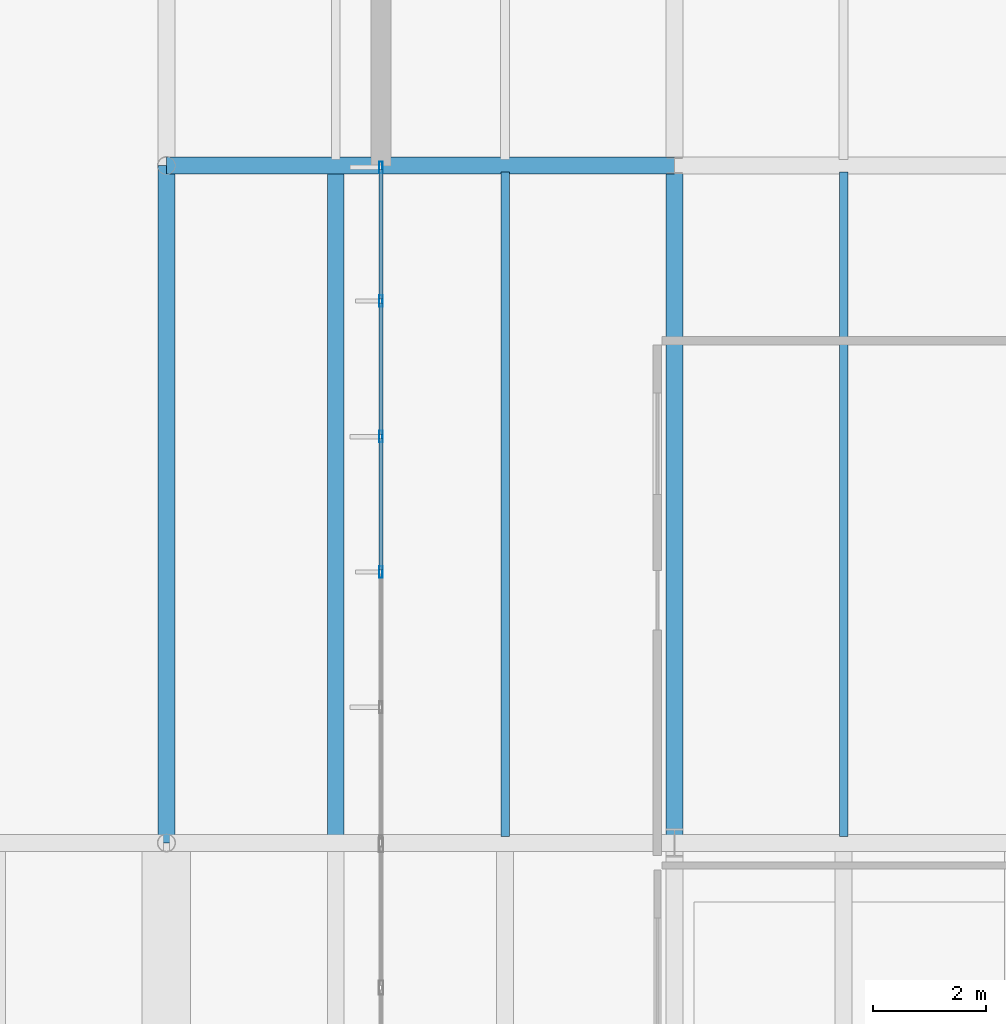
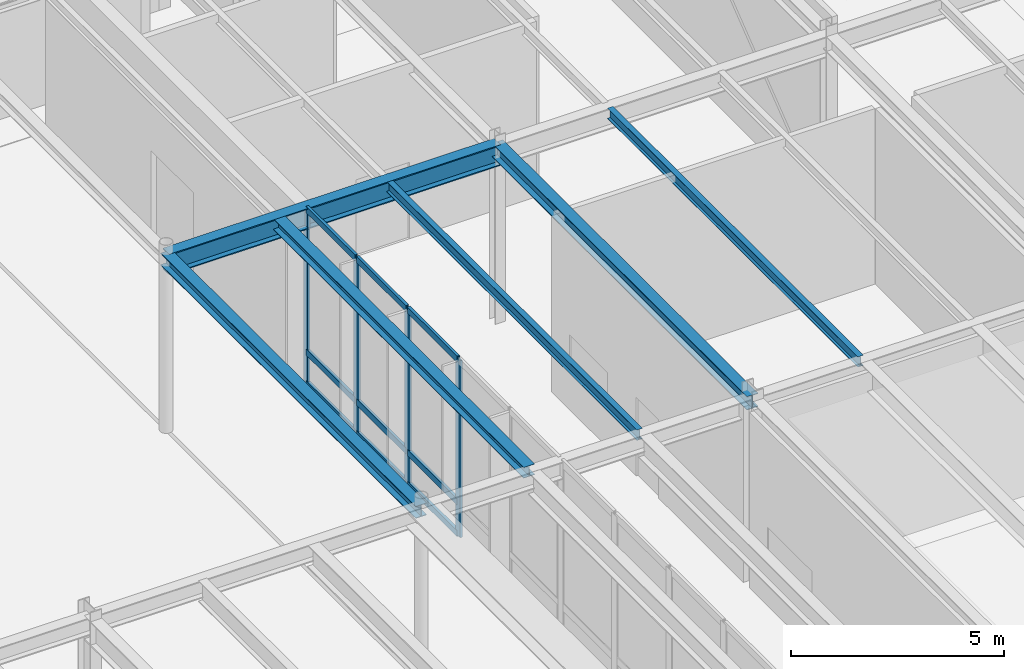
# One storey, part 50 of 143: 13 members, 6 beams, 1 element without a shape of its own.
"""IFC4 building model written with IfcOpenShell, lengths in metres."""

from ifc_helpers import new_model, si_unit, direction, frame, origin, origin_2d, place, context, subcontext, project, spatial, hollow_rectangle, i_section, extrude, material, layer, layer_set, material_profile, profile_set, type_object, element, aggregate, save


model = new_model("IFC4")

# Units and contexts
model_context = context("Model", 3, precision=1e-05, world=origin(), true_north=direction((0.0, 1.0)))
body_context = subcontext(model_context, "Body", "Model", "MODEL_VIEW")
ifc_project = project(units=[si_unit("LENGTHUNIT", "METRE"), si_unit("AREAUNIT", "SQUARE_METRE"), si_unit("VOLUMEUNIT", "CUBIC_METRE"), si_unit("PLANEANGLEUNIT", "RADIAN"), si_unit("MASSUNIT", "GRAM", prefix="KILO")], contexts=[model_context])

# Site, building, storey
site_placement = place(None, origin())
site = spatial("IfcSite", under=ifc_project, at=site_placement, CompositionType="ELEMENT")
building_placement = place(site_placement, origin())
building = spatial("IfcBuilding", under=site, at=building_placement, Name="Montelvaro Courts of Justice", CompositionType="ELEMENT")
storey_placement = place(building_placement, origin())
storey = spatial("IfcBuildingStorey", under=building, at=storey_placement, Name="L00", CompositionType="ELEMENT", Elevation=0.0)

# Beams
ifc_material_1 = material(Name="Steel S355", Category="steel")
ifc_material_profile_1 = material_profile(ifc_material_1, i_section(OverallWidth=0.300048828125, OverallDepth=0.31005859375, WebThickness=0.009033203125, FlangeThickness=0.015380859375, at=origin_2d()), Name="HEA 320")
ifc_profile_set_1 = profile_set([ifc_material_profile_1], Name="Steel S355")
beam_type_1 = type_object("IfcBeamType", Name="Beam_HEA320", PredefinedType="BEAM", material=ifc_profile_set_1)
beam_1_placement = place(storey_placement, frame((102.0, 42.110107421875, 4.965087890625), z_axis=(0.0, 1.0, 0.0), x_axis=(-1.0, 0.0, 0.0)))
element("IfcBeam", 1, at=beam_1_placement, inside=storey, type_object=beam_type_1, Name="Beam B-15 L00", PredefinedType="BEAM", context=body_context, shape_type="SweptSolid", body=[
    extrude(i_section(OverallWidth=0.300048828125, OverallDepth=0.31005859375, WebThickness=0.009033203125, FlangeThickness=0.015380859375, at=origin_2d()), origin(), (0.0, 0.0, 1.0), 11.77978515625),
])
ifc_material_profile_2 = material_profile(ifc_material_1, i_section(OverallWidth=0.300048828125, OverallDepth=0.35009765625, WebThickness=0.010009765625, FlangeThickness=0.017578125, at=origin_2d()), Name="HEA 360")
ifc_profile_set_2 = profile_set([ifc_material_profile_2], Name="Steel S355")
beam_type_2 = type_object("IfcBeamType", Name="Beam_HEA360", PredefinedType="USERDEFINED", material=ifc_profile_set_2)
beam_2_placement = place(storey_placement, frame((99.0, 42.0, 4.945068359375), z_axis=(0.0, 1.0, 0.0), x_axis=(-1.0, 0.0, 0.0)))
element("IfcBeam", 2, at=beam_2_placement, inside=storey, type_object=beam_type_2, Name="Beam B-16 L00", ObjectType="GIRDER", PredefinedType="USERDEFINED", context=body_context, shape_type="SweptSolid", body=[
    extrude(i_section(OverallWidth=0.300048828125, OverallDepth=0.35009765625, WebThickness=0.010009765625, FlangeThickness=0.017578125, at=origin_2d()), origin(), (0.0, 0.0, 1.0), 12.0),
])
ifc_material_profile_3 = material_profile(ifc_material_1, i_section(OverallWidth=0.300048828125, OverallDepth=0.389892578125, WebThickness=0.010986328125, FlangeThickness=0.01904296875, at=origin_2d()), Name="HEA 400")
ifc_profile_set_3 = profile_set([ifc_material_profile_3], Name="Steel S355")
beam_type_3 = type_object("IfcBeamType", Name="Beam_HEA400", PredefinedType="USERDEFINED", material=ifc_profile_set_3)
beam_3_placement = place(storey_placement, frame((108.0, 42.0, 4.925048828125), z_axis=(0.0, 1.0, 0.0), x_axis=(-1.0, 0.0, 0.0)))
element("IfcBeam", 3, at=beam_3_placement, inside=storey, type_object=beam_type_3, Name="Beam B-17 L00", ObjectType="GIRDER", PredefinedType="USERDEFINED", context=body_context, shape_type="SweptSolid", body=[
    extrude(i_section(OverallWidth=0.300048828125, OverallDepth=0.389892578125, WebThickness=0.010986328125, FlangeThickness=0.01904296875, at=origin_2d()), origin(), (0.0, 0.0, 1.0), 12.0),
])
ifc_material_profile_4 = material_profile(ifc_material_1, i_section(OverallWidth=0.300048828125, OverallDepth=0.60009765625, WebThickness=0.015380859375, FlangeThickness=0.030029296875, at=origin_2d()), Name="HEB 600")
ifc_profile_set_4 = profile_set([ifc_material_profile_4], Name="Steel S355")
beam_type_4 = type_object("IfcBeamType", Name="Beam_HEB600", PredefinedType="USERDEFINED", material=ifc_profile_set_4)
beam_4_placement = place(storey_placement, frame((99.0, 54.0, 4.820068359375), z_axis=(1.0, 0.0, 0.0), x_axis=(0.0, 1.0, 0.0)))
element("IfcBeam", 4, at=beam_4_placement, inside=storey, type_object=beam_type_4, Name="Beam B-26 L00", ObjectType="GIRDER", PredefinedType="USERDEFINED", context=body_context, shape_type="SweptSolid", body=[
    extrude(i_section(OverallWidth=0.300048828125, OverallDepth=0.60009765625, WebThickness=0.015380859375, FlangeThickness=0.030029296875, at=origin_2d()), origin(), (0.0, 0.0, 1.0), 9.0),
])
ifc_material_profile_5 = material_profile(ifc_material_1, i_section(OverallWidth=0.14990234375, OverallDepth=0.300048828125, WebThickness=0.007080078125, FlangeThickness=0.0107421875, at=origin_2d()), Name="IPE 300")
ifc_profile_set_5 = profile_set([ifc_material_profile_5], Name="Steel S355")
beam_type_5 = type_object("IfcBeamType", Name="Beam_IPE300", PredefinedType="BEAM", material=ifc_profile_set_5)
for number, where, z_axis, x_axis, name in (
    (5, (105.0, 42.110107421875, 4.969970703125), (0.0, 1.0, 0.0), (-1.0, 0.0, 0.0), "Beam B-05 L00"),
    (6, (111.0, 42.110107421875, 4.969970703125), (0.0, 1.0, 0.0), (-1.0, 0.0, 0.0), "Beam B-05 L00"),
):
    element("IfcBeam", number, at=place(storey_placement, frame(where, z_axis=z_axis, x_axis=x_axis)), inside=storey, type_object=beam_type_5, Name=name, PredefinedType="BEAM", context=body_context, shape_type="SweptSolid", body=[
        extrude(i_section(OverallWidth=0.14990234375, OverallDepth=0.300048828125, WebThickness=0.007080078125, FlangeThickness=0.0107421875, at=origin_2d()), origin(), (0.0, 0.0, 1.0), 11.77978515625),
    ])

# Curtain wall, members
ifc_material_2 = material(Name="Anodised aluminium EN AW-6063", Category="aluminium")
ifc_layer = layer(ifc_material_2, 0.159912109375)
ifc_layer_set = layer_set([ifc_layer], Name="Anodised aluminium EN AW-6063")
curtain_wall_type = type_object("IfcCurtainWallType", Name="CurtainWall_06_1200x508", PredefinedType="USERDEFINED", material=ifc_layer_set)
curtain_wall_placement = place(storey_placement, origin())
curtain_wall = element("IfcCurtainWall", 7, at=curtain_wall_placement, inside=storey, type_object=curtain_wall_type, Name="Curtain Wall CW-06 (L00)", ObjectType="CURTAIN WALL", PredefinedType="USERDEFINED")
ifc_material_profile_6 = material_profile(ifc_material_2, hollow_rectangle(XDim=0.06494140625, YDim=0.2099609375, WallThickness=0.0048828125, at=origin_2d()), Name="ALU-M 65x210")
ifc_profile_set_6 = profile_set([ifc_material_profile_6], Name="Anodised aluminium EN AW-6063")
member_type_1 = type_object("IfcMemberType", Name="CurtainWall_Mullion_65x210", PredefinedType="MULLION", material=ifc_profile_set_6)
member_1_placement = place(storey_placement, frame((102.800048828125, 53.967529296875, 0.0), z_axis=(0.0, 0.0, 1.0), x_axis=(1.0, 0.0, 0.0)))
member_1 = element("IfcMember", 8, at=member_1_placement, type_object=member_type_1, Name="CW-06 mullion 1", PredefinedType="MULLION", context=body_context, shape_type="SweptSolid", body=[
    extrude(hollow_rectangle(XDim=0.06494140625, YDim=0.2099609375, WallThickness=0.0048828125, at=origin_2d()), origin(), (0.0, 0.0, 1.0), 5.080078125),
])
member_2_placement = place(storey_placement, frame((102.800048828125, 51.60009765625, 0.0), z_axis=(0.0, 0.0, 1.0), x_axis=(1.0, 0.0, 0.0)))
member_2 = element("IfcMember", 9, at=member_2_placement, type_object=member_type_1, Name="CW-06 mullion 2", PredefinedType="MULLION", context=body_context, shape_type="SweptSolid", body=[
    extrude(hollow_rectangle(XDim=0.06494140625, YDim=0.2099609375, WallThickness=0.0048828125, at=origin_2d()), origin(), (0.0, 0.0, 1.0), 5.080078125),
])
member_3_placement = place(storey_placement, frame((102.800048828125, 49.199951171875, 0.0), z_axis=(0.0, 0.0, 1.0), x_axis=(1.0, 0.0, 0.0)))
member_3 = element("IfcMember", 10, at=member_3_placement, type_object=member_type_1, Name="CW-06 mullion 3", PredefinedType="MULLION", context=body_context, shape_type="SweptSolid", body=[
    extrude(hollow_rectangle(XDim=0.06494140625, YDim=0.2099609375, WallThickness=0.0048828125, at=origin_2d()), origin(), (0.0, 0.0, 1.0), 5.080078125),
])
member_4_placement = place(storey_placement, frame((102.800048828125, 46.800048828125, 0.0), z_axis=(0.0, 0.0, 1.0), x_axis=(1.0, 0.0, 0.0)))
member_4 = element("IfcMember", 11, at=member_4_placement, type_object=member_type_1, Name="CW-06 mullion 4", PredefinedType="MULLION", context=body_context, shape_type="SweptSolid", body=[
    extrude(hollow_rectangle(XDim=0.06494140625, YDim=0.2099609375, WallThickness=0.0048828125, at=origin_2d()), origin(), (0.0, 0.0, 1.0), 5.080078125),
])
ifc_material_profile_7 = material_profile(ifc_material_2, hollow_rectangle(XDim=0.074951171875, YDim=0.179931640625, WallThickness=0.0048828125, at=origin_2d()), Name="ALU-T 75x180")
ifc_profile_set_7 = profile_set([ifc_material_profile_7], Name="Anodised aluminium EN AW-6063")
member_type_2 = type_object("IfcMemberType", Name="CurtainWall_Transom_75x180", PredefinedType="USERDEFINED", material=ifc_profile_set_7)
member_5_placement = place(storey_placement, frame((102.800048828125, 53.93505859375, 0.03759765625), z_axis=(0.0, -1.0, 0.0), x_axis=(1.0, 0.0, 0.0)))
member_5 = element("IfcMember", 12, at=member_5_placement, type_object=member_type_2, Name="CW-06 transom 1.1", ObjectType="TRANSOM", PredefinedType="USERDEFINED", context=body_context, shape_type="SweptSolid", body=[
    extrude(hollow_rectangle(XDim=0.074951171875, YDim=0.179931640625, WallThickness=0.0048828125, at=origin_2d()), origin(), (0.0, 0.0, 1.0), 2.302490234375),
])
member_6_placement = place(storey_placement, frame((102.800048828125, 53.93505859375, 0.949951171875), z_axis=(0.0, -1.0, 0.0), x_axis=(1.0, 0.0, 0.0)))
member_6 = element("IfcMember", 13, at=member_6_placement, type_object=member_type_2, Name="CW-06 transom 1.2", ObjectType="TRANSOM", PredefinedType="USERDEFINED", context=body_context, shape_type="SweptSolid", body=[
    extrude(hollow_rectangle(XDim=0.074951171875, YDim=0.179931640625, WallThickness=0.0048828125, at=origin_2d()), origin(), (0.0, 0.0, 1.0), 2.302490234375),
])
member_7_placement = place(storey_placement, frame((102.800048828125, 53.93505859375, 5.04248046875), z_axis=(0.0, -1.0, 0.0), x_axis=(1.0, 0.0, 0.0)))
member_7 = element("IfcMember", 14, at=member_7_placement, type_object=member_type_2, Name="CW-06 transom 1.3", ObjectType="TRANSOM", PredefinedType="USERDEFINED", context=body_context, shape_type="SweptSolid", body=[
    extrude(hollow_rectangle(XDim=0.074951171875, YDim=0.179931640625, WallThickness=0.0048828125, at=origin_2d()), origin(), (0.0, 0.0, 1.0), 2.302490234375),
])
member_8_placement = place(storey_placement, frame((102.800048828125, 51.5673828125, 0.03759765625), z_axis=(0.0, -1.0, 0.0), x_axis=(1.0, 0.0, 0.0)))
member_8 = element("IfcMember", 15, at=member_8_placement, type_object=member_type_2, Name="CW-06 transom 2.1", ObjectType="TRANSOM", PredefinedType="USERDEFINED", context=body_context, shape_type="SweptSolid", body=[
    extrude(hollow_rectangle(XDim=0.074951171875, YDim=0.179931640625, WallThickness=0.0048828125, at=origin_2d()), origin(), (0.0, 0.0, 1.0), 2.3349609375),
])
member_9_placement = place(storey_placement, frame((102.800048828125, 51.5673828125, 0.949951171875), z_axis=(0.0, -1.0, 0.0), x_axis=(1.0, 0.0, 0.0)))
member_9 = element("IfcMember", 16, at=member_9_placement, type_object=member_type_2, Name="CW-06 transom 2.2", ObjectType="TRANSOM", PredefinedType="USERDEFINED", context=body_context, shape_type="SweptSolid", body=[
    extrude(hollow_rectangle(XDim=0.074951171875, YDim=0.179931640625, WallThickness=0.0048828125, at=origin_2d()), origin(), (0.0, 0.0, 1.0), 2.3349609375),
])
member_10_placement = place(storey_placement, frame((102.800048828125, 51.5673828125, 5.04248046875), z_axis=(0.0, -1.0, 0.0), x_axis=(1.0, 0.0, 0.0)))
member_10 = element("IfcMember", 17, at=member_10_placement, type_object=member_type_2, Name="CW-06 transom 2.3", ObjectType="TRANSOM", PredefinedType="USERDEFINED", context=body_context, shape_type="SweptSolid", body=[
    extrude(hollow_rectangle(XDim=0.074951171875, YDim=0.179931640625, WallThickness=0.0048828125, at=origin_2d()), origin(), (0.0, 0.0, 1.0), 2.3349609375),
])
member_11_placement = place(storey_placement, frame((102.800048828125, 49.16748046875, 0.03759765625), z_axis=(0.0, -1.0, 0.0), x_axis=(1.0, 0.0, 0.0)))
member_11 = element("IfcMember", 18, at=member_11_placement, type_object=member_type_2, Name="CW-06 transom 3.1", ObjectType="TRANSOM", PredefinedType="USERDEFINED", context=body_context, shape_type="SweptSolid", body=[
    extrude(hollow_rectangle(XDim=0.074951171875, YDim=0.179931640625, WallThickness=0.0048828125, at=origin_2d()), origin(), (0.0, 0.0, 1.0), 2.3349609375),
])
member_12_placement = place(storey_placement, frame((102.800048828125, 49.16748046875, 0.949951171875), z_axis=(0.0, -1.0, 0.0), x_axis=(1.0, 0.0, 0.0)))
member_12 = element("IfcMember", 19, at=member_12_placement, type_object=member_type_2, Name="CW-06 transom 3.2", ObjectType="TRANSOM", PredefinedType="USERDEFINED", context=body_context, shape_type="SweptSolid", body=[
    extrude(hollow_rectangle(XDim=0.074951171875, YDim=0.179931640625, WallThickness=0.0048828125, at=origin_2d()), origin(), (0.0, 0.0, 1.0), 2.3349609375),
])
member_13_placement = place(storey_placement, frame((102.800048828125, 49.16748046875, 5.04248046875), z_axis=(0.0, -1.0, 0.0), x_axis=(1.0, 0.0, 0.0)))
member_13 = element("IfcMember", 20, at=member_13_placement, type_object=member_type_2, Name="CW-06 transom 3.3", ObjectType="TRANSOM", PredefinedType="USERDEFINED", context=body_context, shape_type="SweptSolid", body=[
    extrude(hollow_rectangle(XDim=0.074951171875, YDim=0.179931640625, WallThickness=0.0048828125, at=origin_2d()), origin(), (0.0, 0.0, 1.0), 2.3349609375),
])
aggregate(curtain_wall, [member_1, member_2, member_3, member_4, member_5, member_6, member_7, member_8, member_9, member_10, member_11, member_12, member_13])

save(model, "model.ifc")
